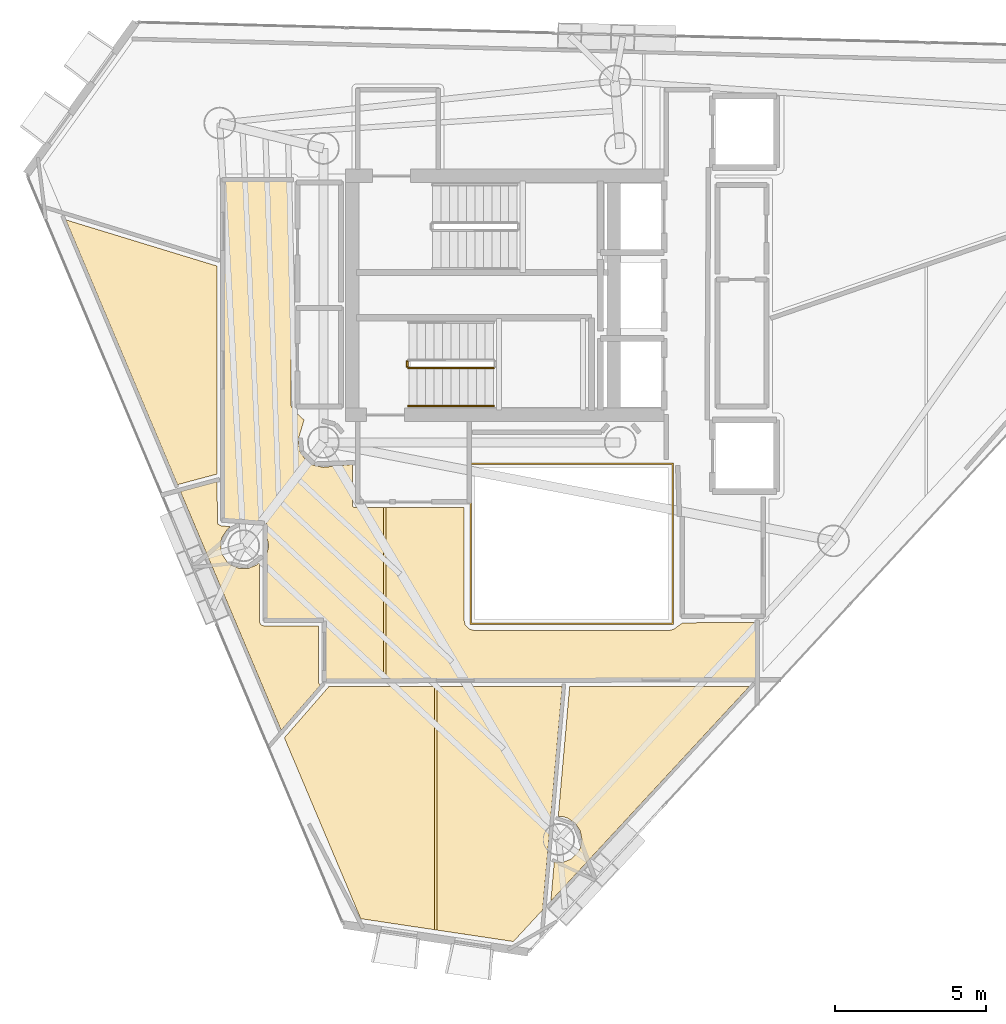
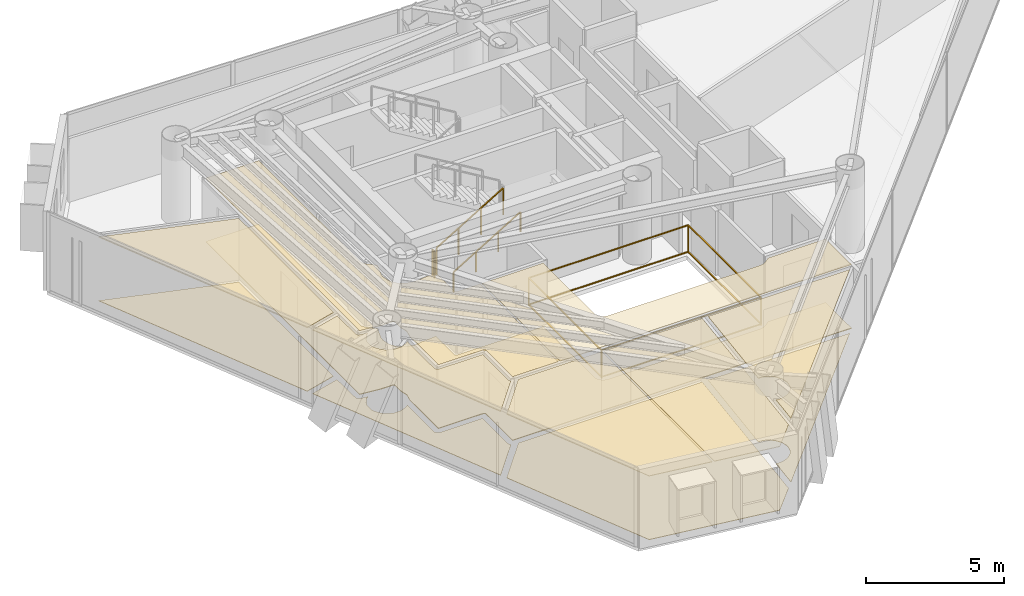
# One storey, part 18 of 21: 12 coverings, 4 railings.
"""IFC4 building model written with IfcOpenShell, lengths in metres."""

from ifc_helpers import new_model, si_unit, direction, frame, origin, origin_2d, place, context, subcontext, project, spatial, polyline, rectangle, outline, extrude, material, layer, layer_set, type_object, element, save


model = new_model("IFC4")

# Units and contexts
model_context = context("Model", 3, precision=1e-05, world=origin(), true_north=direction((0.0, 1.0)))
body_context = subcontext(model_context, "Body", "Model", "MODEL_VIEW")
ifc_project = project(units=[si_unit("LENGTHUNIT", "METRE"), si_unit("AREAUNIT", "SQUARE_METRE"), si_unit("VOLUMEUNIT", "CUBIC_METRE"), si_unit("PLANEANGLEUNIT", "RADIAN"), si_unit("MASSUNIT", "GRAM", prefix="KILO")], contexts=[model_context])

# Site, building, storey
site_placement = place(None, origin())
site = spatial("IfcSite", under=ifc_project, at=site_placement, CompositionType="ELEMENT")
building_placement = place(site_placement, origin())
building = spatial("IfcBuilding", under=site, at=building_placement, Name="Qianvela Tower", CompositionType="ELEMENT")
storey_placement = place(building_placement, frame((0.0, 0.0, 246.39990234375)))
storey = spatial("IfcBuildingStorey", under=building, at=storey_placement, Name="L63", CompositionType="ELEMENT", Elevation=246.39990234375)

# Coverings
ifc_material_1 = material(Name="Perforated Mineral Acoustic Ceiling Tile")
ifc_layer_1 = layer(ifc_material_1, 0.02490234375)
ifc_layer_set_1 = layer_set([ifc_layer_1], Name="Perforated Mineral Acoustic Ceiling Tile")
covering_type_1 = type_object("IfcCoveringType", Name="COV-CEIL-ACOUSTIC-25", PredefinedType="CEILING", material=ifc_layer_set_1)
covering_1_placement = place(storey_placement, frame((0.0, 0.0, 2.815185546875)))
element("IfcCovering", 1, at=covering_1_placement, inside=storey, type_object=covering_type_1, Name="L63 Acoustic Ceiling Bay 1 L63 Floor Corridor", PredefinedType="CEILING", context=body_context, shape_type="SweptSolid", body=[
    extrude(outline(polyline([(27.791015625, 24.010986328125), (27.789794921875, 24.003173828125), (27.775390625, 23.85791015625), (27.77490234375, 23.85009765625), (27.775390625, 23.84228515625), (27.776611328125, 23.83447265625), (27.833251953125, 23.54931640625), (27.835205078125, 23.541748046875), (27.837890625, 23.5341796875), (27.84130859375, 23.527099609375), (27.84521484375, 23.5205078125), (28.006591796875, 23.27880859375), (28.011474609375, 23.2724609375), (28.0166015625, 23.2666015625), (28.0224609375, 23.261474609375), (28.02880859375, 23.256591796875), (28.2705078125, 23.09521484375), (28.277099609375, 23.09130859375), (28.2841796875, 23.087890625), (28.291748046875, 23.085205078125), (28.29931640625, 23.083251953125), (28.58447265625, 23.026611328125), (28.59228515625, 23.025390625), (28.60009765625, 23.02490234375), (28.60791015625, 23.025390625), (29.55810546875, 23.118896484375), (29.55810546875, 21.780029296875), (29.558349609375, 21.772216796875), (29.5595703125, 21.764404296875), (29.561279296875, 21.7568359375), (29.564208984375, 21.74951171875), (29.5673828125, 21.7421875), (29.571533203125, 21.735595703125), (29.576171875, 21.729248046875), (29.581298828125, 21.723388671875), (29.587158203125, 21.71826171875), (29.593505859375, 21.71337890625), (29.600341796875, 21.70947265625), (29.607421875, 21.7060546875), (29.61474609375, 21.703369140625), (29.622314453125, 21.701416015625), (29.630126953125, 21.700439453125), (29.637939453125, 21.699951171875), (30.5888671875, 21.699951171875), (30.5888671875, 16.030029296875), (28.679931640625, 16.030029296875), (28.679931640625, 17.949951171875), (28.6796875, 17.957763671875), (28.678466796875, 17.965576171875), (28.676513671875, 17.97314453125), (28.673828125, 17.980712890625), (28.670654296875, 17.98779296875), (28.66650390625, 17.994384765625), (28.661865234375, 18.000732421875), (28.656494140625, 18.006591796875), (28.65087890625, 18.01171875), (28.644287109375, 18.0166015625), (28.6376953125, 18.0205078125), (28.630615234375, 18.02392578125), (28.623291015625, 18.026611328125), (28.615478515625, 18.028564453125), (28.60791015625, 18.029541015625), (28.60009765625, 18.030029296875), (26.72998046875, 18.030029296875), (26.72998046875, 20.123779296875), (26.795166015625, 20.419921875), (26.79638671875, 20.42822265625), (26.797119140625, 20.43701171875), (26.79638671875, 20.44580078125), (26.795166015625, 20.4541015625), (26.72998046875, 20.75), (26.72998046875, 21.14990234375), (26.7294921875, 21.15771484375), (26.728515625, 21.16552734375), (26.7265625, 21.173095703125), (26.723876953125, 21.1806640625), (26.720703125, 21.187744140625), (26.716552734375, 21.1943359375), (26.7119140625, 21.20068359375), (26.70654296875, 21.20654296875), (26.70068359375, 21.2119140625), (26.6943359375, 21.216552734375), (26.687744140625, 21.220703125), (26.6806640625, 21.223876953125), (26.673095703125, 21.2265625), (26.66552734375, 21.228515625), (26.65771484375, 21.2294921875), (26.64990234375, 21.22998046875), (26.18017578125, 21.22998046875), (25.330078125, 21.32470703125), (25.330078125, 32.469970703125), (27.5400390625, 32.469970703125), (27.5400390625, 25.066650390625), (27.540283203125, 25.05908203125), (27.54150390625, 25.051513671875), (27.543212890625, 25.044189453125), (27.545654296875, 25.037109375), (27.548583984375, 25.0302734375), (27.604736328125, 24.919921875), (27.6083984375, 24.91357421875), (27.612548828125, 24.90771484375), (27.6171875, 24.902099609375), (27.622314453125, 24.89697265625), (27.965087890625, 24.58642578125), (27.792724609375, 24.0185546875), (27.791015625, 24.010986328125)])), origin(), (0.0, 0.0, 1.0), 0.02490234375),
])
covering_2_placement = place(storey_placement, frame((0.0, 0.0, 2.815185546875)))
element("IfcCovering", 2, at=covering_2_placement, inside=storey, type_object=covering_type_1, Name="L63 Acoustic Ceiling Bay 2 L63 Floor Corridor", PredefinedType="CEILING", context=body_context, shape_type="SweptSolid", body=[
    extrude(outline(polyline([(33.239990234375, 21.699951171875), (33.239990234375, 18.0), (33.240478515625, 17.990234375), (33.242431640625, 17.980712890625), (33.275390625, 17.8486328125), (33.277587890625, 17.841796875), (33.2802734375, 17.8349609375), (33.283447265625, 17.82861328125), (33.287353515625, 17.822509765625), (33.29150390625, 17.81689453125), (33.29638671875, 17.811279296875), (33.411376953125, 17.696533203125), (33.41796875, 17.690673828125), (33.4248046875, 17.685791015625), (33.432373046875, 17.681396484375), (33.440185546875, 17.677978515625), (33.448486328125, 17.675537109375), (33.58056640625, 17.642333984375), (33.5869140625, 17.64111328125), (33.593505859375, 17.640380859375), (33.60009765625, 17.639892578125), (40.0, 17.639892578125), (40.006591796875, 17.640380859375), (40.012939453125, 17.64111328125), (40.019287109375, 17.642333984375), (40.1513671875, 17.675537109375), (40.15869140625, 17.677734375), (40.166015625, 17.6806640625), (40.172607421875, 17.68408203125), (40.17919921875, 17.6884765625), (40.459228515625, 17.89306640625), (42.8701171875, 17.89990234375), (42.8701171875, 16.030029296875), (30.6689453125, 16.030029296875), (30.6689453125, 21.699951171875), (33.239990234375, 21.699951171875)])), origin(), (0.0, 0.0, 1.0), 0.02490234375),
])
covering_3_placement = place(storey_placement, frame((0.0, 0.0, 2.815185546875)))
element("IfcCovering", 3, at=covering_3_placement, inside=storey, type_object=covering_type_1, Name="L63 Acoustic Ceiling Student Fitness Gym L63-01", PredefinedType="CEILING", context=body_context, shape_type="SweptSolid", body=[
    extrude(outline(polyline([(25.202880859375, 21.103515625), (25.209716796875, 21.10009765625), (25.217041015625, 21.097412109375), (25.224609375, 21.09521484375), (25.232421875, 21.093994140625), (25.531494140625, 21.060791015625), (25.43701171875, 20.983154296875), (25.43115234375, 20.977783203125), (25.42578125, 20.97216796875), (25.421142578125, 20.9658203125), (25.272705078125, 20.74365234375), (25.2685546875, 20.73681640625), (25.26513671875, 20.729736328125), (25.2626953125, 20.722412109375), (25.2236328125, 20.593994140625), (25.2216796875, 20.586181640625), (25.220458984375, 20.57861328125), (25.22021484375, 20.570556640625), (25.22021484375, 20.303466796875), (25.220458984375, 20.29541015625), (25.2216796875, 20.287841796875), (25.2236328125, 20.280029296875), (25.2626953125, 20.151611328125), (25.26513671875, 20.144287109375), (25.2685546875, 20.13720703125), (25.272705078125, 20.13037109375), (25.421142578125, 19.908203125), (25.42578125, 19.90185546875), (25.43115234375, 19.89599609375), (25.43701171875, 19.890869140625), (25.540771484375, 19.8056640625), (25.547119140625, 19.80078125), (25.5537109375, 19.796875), (25.560791015625, 19.79345703125), (25.8076171875, 19.69140625), (25.815185546875, 19.688720703125), (25.82275390625, 19.686767578125), (25.83056640625, 19.685546875), (25.83837890625, 19.685302734375), (26.105712890625, 19.685302734375), (26.113525390625, 19.685546875), (26.12109375, 19.686767578125), (26.12890625, 19.688720703125), (26.13623046875, 19.69140625), (26.38330078125, 19.79345703125), (26.390380859375, 19.796875), (26.39697265625, 19.80078125), (26.4033203125, 19.8056640625), (26.489990234375, 19.876708984375), (26.489990234375, 17.949951171875), (26.490478515625, 17.942138671875), (26.491455078125, 17.934326171875), (26.493408203125, 17.9267578125), (26.49609375, 17.91943359375), (26.51953125, 17.86279296875), (26.52294921875, 17.855712890625), (26.52685546875, 17.84912109375), (26.531494140625, 17.8427734375), (26.536865234375, 17.8369140625), (26.542724609375, 17.83154296875), (26.549072265625, 17.826904296875), (26.5556640625, 17.822998046875), (26.562744140625, 17.819580078125), (26.619384765625, 17.796142578125), (26.626708984375, 17.79345703125), (26.634521484375, 17.79150390625), (26.64208984375, 17.790283203125), (26.64990234375, 17.7900390625), (28.43994140625, 17.7900390625), (28.4404296875, 15.942138671875), (28.44091796875, 15.93359375), (28.442138671875, 15.925048828125), (28.444580078125, 15.916748046875), (28.44775390625, 15.90869140625), (28.451904296875, 15.90087890625), (28.48681640625, 15.84228515625), (28.4912109375, 15.8359375), (28.49609375, 15.829833984375), (28.496826171875, 15.8291015625), (27.209228515625, 14.347900390625), (23.884765625, 22.2255859375), (25.09130859375, 22.548828125), (25.10791015625, 21.20166015625), (25.1083984375, 21.194091796875), (25.109619140625, 21.1865234375), (25.111572265625, 21.178955078125), (25.114013671875, 21.171875), (25.117431640625, 21.164794921875), (25.121337890625, 21.158203125), (25.1259765625, 21.152099609375), (25.131103515625, 21.146484375), (25.13671875, 21.14111328125), (25.142822265625, 21.136474609375), (25.1494140625, 21.132568359375), (25.202880859375, 21.103515625)])), origin(), (0.0, 0.0, 1.0), 0.02490234375),
])
covering_4_placement = place(storey_placement, frame((0.0, 0.0, 2.815185546875)))
element("IfcCovering", 4, at=covering_4_placement, inside=storey, type_object=covering_type_1, Name="L63 Acoustic Ceiling Bay 1 Maker Craft Workshop L63-02", PredefinedType="CEILING", context=body_context, shape_type="SweptSolid", body=[
    extrude(outline(polyline([(29.83447265625, 8.126953125), (27.31494140625, 14.097412109375), (28.7861328125, 15.7900390625), (32.272705078125, 15.7900390625), (32.272705078125, 7.76220703125), (29.83447265625, 8.126953125)])), origin(), (0.0, 0.0, 1.0), 0.02490234375),
])
covering_5_placement = place(storey_placement, frame((0.0, 0.0, 2.815185546875)))
element("IfcCovering", 5, at=covering_5_placement, inside=storey, type_object=covering_type_1, Name="L63 Acoustic Ceiling Bay 2 Maker Craft Workshop L63-02", PredefinedType="CEILING", context=body_context, shape_type="SweptSolid", body=[
    extrude(outline(polyline([(34.873779296875, 7.373291015625), (32.352783203125, 7.75048828125), (32.352783203125, 15.7900390625), (36.484375, 15.7900390625), (35.839111328125, 8.4169921875), (34.873779296875, 7.373291015625)])), origin(), (0.0, 0.0, 1.0), 0.02490234375),
])
covering_6_placement = place(storey_placement, frame((0.0, 0.0, 2.815185546875)))
element("IfcCovering", 6, at=covering_6_placement, inside=storey, type_object=covering_type_1, Name="L63 Acoustic Ceiling Student Reading Library L63-03", PredefinedType="CEILING", context=body_context, shape_type="SweptSolid", body=[
    extrude(outline(polyline([(36.222900390625, 10.001708984375), (36.35498046875, 9.978271484375), (36.3623046875, 9.977294921875), (36.369384765625, 9.97705078125), (36.376708984375, 9.977294921875), (36.510498046875, 9.990478515625), (36.518310546875, 9.99169921875), (36.52587890625, 9.99365234375), (36.533203125, 9.996337890625), (36.7802734375, 10.098388671875), (36.787353515625, 10.101806640625), (36.7939453125, 10.10595703125), (36.80029296875, 10.110595703125), (36.80615234375, 10.115966796875), (36.9951171875, 10.304931640625), (37.00048828125, 10.310791015625), (37.005126953125, 10.31689453125), (37.009033203125, 10.32373046875), (37.072509765625, 10.442138671875), (37.07568359375, 10.44921875), (37.078369140625, 10.45654296875), (37.080322265625, 10.46435546875), (37.132568359375, 10.726318359375), (37.133544921875, 10.734130859375), (37.134033203125, 10.741943359375), (37.133544921875, 10.749755859375), (37.132568359375, 10.757568359375), (37.080322265625, 11.019775390625), (37.078369140625, 11.02734375), (37.07568359375, 11.034912109375), (37.072509765625, 11.041748046875), (37.068359375, 11.048583984375), (36.919921875, 11.270751953125), (36.915283203125, 11.277099609375), (36.909912109375, 11.282958984375), (36.904052734375, 11.2880859375), (36.897705078125, 11.29296875), (36.675537109375, 11.44140625), (36.668701171875, 11.4453125), (36.661865234375, 11.44873046875), (36.654296875, 11.451416015625), (36.52587890625, 11.490478515625), (36.5185546875, 11.4921875), (36.51123046875, 11.493408203125), (36.503662109375, 11.493896484375), (36.353515625, 11.495849609375), (36.729248046875, 15.7900390625), (42.65869140625, 15.7900390625), (36.109619140625, 8.70947265625), (36.222900390625, 10.001708984375)])), origin(), (0.0, 0.0, 1.0), 0.02490234375),
])
covering_7_placement = place(storey_placement, frame((0.0, 0.0, 2.815185546875)))
element("IfcCovering", 7, at=covering_7_placement, inside=storey, type_object=covering_type_1, Name="L63 Acoustic Ceiling Student Wellness Lounge L63-06", PredefinedType="CEILING", context=body_context, shape_type="SweptSolid", body=[
    extrude(outline(polyline([(23.7890625, 22.452392578125), (20.10107421875, 31.19189453125), (25.090087890625, 29.66650390625), (25.090087890625, 22.801025390625), (23.7890625, 22.452392578125)])), origin(), (0.0, 0.0, 1.0), 0.02490234375),
])
ifc_material_2 = material(Name="Engineered Acoustic Oak Timber Flooring", Category="wood")
ifc_layer_2 = layer(ifc_material_2, 0.02001953125)
ifc_layer_set_2 = layer_set([ifc_layer_2], Name="Engineered Acoustic Oak Timber Flooring")
covering_type_2 = type_object("IfcCoveringType", Name="COV-FLOOR-OAK-20", PredefinedType="FLOORING", material=ifc_layer_set_2)
covering_8_placement = place(storey_placement, origin())
element("IfcCovering", 8, at=covering_8_placement, inside=storey, type_object=covering_type_2, Name="L63 Finish Flooring Student Fitness Gym L63-01", PredefinedType="FLOORING", context=body_context, shape_type="SweptSolid", body=[
    extrude(outline(polyline([(25.202880859375, 21.103515625), (25.209716796875, 21.10009765625), (25.217041015625, 21.097412109375), (25.224609375, 21.09521484375), (25.232421875, 21.093994140625), (25.531494140625, 21.060791015625), (25.43701171875, 20.983154296875), (25.43115234375, 20.977783203125), (25.42578125, 20.97216796875), (25.421142578125, 20.9658203125), (25.272705078125, 20.74365234375), (25.2685546875, 20.73681640625), (25.26513671875, 20.729736328125), (25.2626953125, 20.722412109375), (25.2236328125, 20.593994140625), (25.2216796875, 20.586181640625), (25.220458984375, 20.57861328125), (25.22021484375, 20.570556640625), (25.22021484375, 20.303466796875), (25.220458984375, 20.29541015625), (25.2216796875, 20.287841796875), (25.2236328125, 20.280029296875), (25.2626953125, 20.151611328125), (25.26513671875, 20.144287109375), (25.2685546875, 20.13720703125), (25.272705078125, 20.13037109375), (25.421142578125, 19.908203125), (25.42578125, 19.90185546875), (25.43115234375, 19.89599609375), (25.43701171875, 19.890869140625), (25.540771484375, 19.8056640625), (25.547119140625, 19.80078125), (25.5537109375, 19.796875), (25.560791015625, 19.79345703125), (25.8076171875, 19.69140625), (25.815185546875, 19.688720703125), (25.82275390625, 19.686767578125), (25.83056640625, 19.685546875), (25.83837890625, 19.685302734375), (26.105712890625, 19.685302734375), (26.113525390625, 19.685546875), (26.12109375, 19.686767578125), (26.12890625, 19.688720703125), (26.13623046875, 19.69140625), (26.38330078125, 19.79345703125), (26.390380859375, 19.796875), (26.39697265625, 19.80078125), (26.4033203125, 19.8056640625), (26.489990234375, 19.876708984375), (26.489990234375, 17.949951171875), (26.490478515625, 17.942138671875), (26.491455078125, 17.934326171875), (26.493408203125, 17.9267578125), (26.49609375, 17.91943359375), (26.51953125, 17.86279296875), (26.52294921875, 17.855712890625), (26.52685546875, 17.84912109375), (26.531494140625, 17.8427734375), (26.536865234375, 17.8369140625), (26.542724609375, 17.83154296875), (26.549072265625, 17.826904296875), (26.5556640625, 17.822998046875), (26.562744140625, 17.819580078125), (26.619384765625, 17.796142578125), (26.626708984375, 17.79345703125), (26.634521484375, 17.79150390625), (26.64208984375, 17.790283203125), (26.64990234375, 17.7900390625), (28.43994140625, 17.7900390625), (28.4404296875, 15.942138671875), (28.44091796875, 15.93359375), (28.442138671875, 15.925048828125), (28.444580078125, 15.916748046875), (28.44775390625, 15.90869140625), (28.451904296875, 15.90087890625), (28.48681640625, 15.84228515625), (28.4912109375, 15.8359375), (28.49609375, 15.829833984375), (28.496826171875, 15.8291015625), (27.209228515625, 14.347900390625), (23.884765625, 22.2255859375), (25.09130859375, 22.548828125), (25.10791015625, 21.20166015625), (25.1083984375, 21.194091796875), (25.109619140625, 21.1865234375), (25.111572265625, 21.178955078125), (25.114013671875, 21.171875), (25.117431640625, 21.164794921875), (25.121337890625, 21.158203125), (25.1259765625, 21.152099609375), (25.131103515625, 21.146484375), (25.13671875, 21.14111328125), (25.142822265625, 21.136474609375), (25.1494140625, 21.132568359375), (25.202880859375, 21.103515625)])), origin(), (0.0, 0.0, 1.0), 0.02001953125),
])
covering_9_placement = place(storey_placement, origin())
element("IfcCovering", 9, at=covering_9_placement, inside=storey, type_object=covering_type_2, Name="L63 Finish Flooring Maker Craft Workshop L63-02", PredefinedType="FLOORING", context=body_context, shape_type="SweptSolid", body=[
    extrude(outline(polyline([(35.839111328125, 8.4169921875), (34.873779296875, 7.373291015625), (29.83447265625, 8.126953125), (27.31494140625, 14.097412109375), (28.7861328125, 15.7900390625), (36.484375, 15.7900390625), (35.839111328125, 8.4169921875)])), origin(), (0.0, 0.0, 1.0), 0.02001953125),
])
covering_10_placement = place(storey_placement, origin())
element("IfcCovering", 10, at=covering_10_placement, inside=storey, type_object=covering_type_2, Name="L63 Finish Flooring Student Reading Library L63-03", PredefinedType="FLOORING", context=body_context, shape_type="SweptSolid", body=[
    extrude(outline(polyline([(36.222900390625, 10.001708984375), (36.35498046875, 9.978271484375), (36.3623046875, 9.977294921875), (36.369384765625, 9.97705078125), (36.376708984375, 9.977294921875), (36.510498046875, 9.990478515625), (36.518310546875, 9.99169921875), (36.52587890625, 9.99365234375), (36.533203125, 9.996337890625), (36.7802734375, 10.098388671875), (36.787353515625, 10.101806640625), (36.7939453125, 10.10595703125), (36.80029296875, 10.110595703125), (36.80615234375, 10.115966796875), (36.9951171875, 10.304931640625), (37.00048828125, 10.310791015625), (37.005126953125, 10.31689453125), (37.009033203125, 10.32373046875), (37.072509765625, 10.442138671875), (37.07568359375, 10.44921875), (37.078369140625, 10.45654296875), (37.080322265625, 10.46435546875), (37.132568359375, 10.726318359375), (37.133544921875, 10.734130859375), (37.134033203125, 10.741943359375), (37.133544921875, 10.749755859375), (37.132568359375, 10.757568359375), (37.080322265625, 11.019775390625), (37.078369140625, 11.02734375), (37.07568359375, 11.034912109375), (37.072509765625, 11.041748046875), (37.068359375, 11.048583984375), (36.919921875, 11.270751953125), (36.915283203125, 11.277099609375), (36.909912109375, 11.282958984375), (36.904052734375, 11.2880859375), (36.897705078125, 11.29296875), (36.675537109375, 11.44140625), (36.668701171875, 11.4453125), (36.661865234375, 11.44873046875), (36.654296875, 11.451416015625), (36.52587890625, 11.490478515625), (36.5185546875, 11.4921875), (36.51123046875, 11.493408203125), (36.503662109375, 11.493896484375), (36.353515625, 11.495849609375), (36.729248046875, 15.7900390625), (42.65869140625, 15.7900390625), (36.109619140625, 8.70947265625), (36.222900390625, 10.001708984375)])), origin(), (0.0, 0.0, 1.0), 0.02001953125),
])
covering_11_placement = place(storey_placement, origin())
element("IfcCovering", 11, at=covering_11_placement, inside=storey, type_object=covering_type_2, Name="L63 Finish Flooring Student Wellness Lounge L63-06", PredefinedType="FLOORING", context=body_context, shape_type="SweptSolid", body=[
    extrude(outline(polyline([(23.7890625, 22.452392578125), (20.10107421875, 31.19189453125), (25.090087890625, 29.66650390625), (25.090087890625, 22.801025390625), (23.7890625, 22.452392578125)])), origin(), (0.0, 0.0, 1.0), 0.02001953125),
])
ifc_material_3 = material(Name="Honed Stone Terrazzo Flooring", Category="masonry")
ifc_layer_3 = layer(ifc_material_3, 0.030029296875)
ifc_layer_set_3 = layer_set([ifc_layer_3], Name="Honed Stone Terrazzo Flooring")
covering_type_3 = type_object("IfcCoveringType", Name="COV-FLOOR-TERRAZZO-30", PredefinedType="FLOORING", material=ifc_layer_set_3)
covering_12_placement = place(storey_placement, origin())
element("IfcCovering", 12, at=covering_12_placement, inside=storey, type_object=covering_type_3, Name="L63 Finish Flooring L63 Floor Corridor", PredefinedType="FLOORING", context=body_context, shape_type="SweptSolid", body=[
    extrude(outline(polyline([(27.792724609375, 24.0185546875), (27.791015625, 24.010986328125), (27.789794921875, 24.003173828125), (27.775390625, 23.85791015625), (27.77490234375, 23.85009765625), (27.775390625, 23.84228515625), (27.776611328125, 23.83447265625), (27.833251953125, 23.54931640625), (27.835205078125, 23.541748046875), (27.837890625, 23.5341796875), (27.84130859375, 23.527099609375), (27.84521484375, 23.5205078125), (28.006591796875, 23.27880859375), (28.011474609375, 23.2724609375), (28.0166015625, 23.2666015625), (28.0224609375, 23.261474609375), (28.02880859375, 23.256591796875), (28.2705078125, 23.09521484375), (28.277099609375, 23.09130859375), (28.2841796875, 23.087890625), (28.291748046875, 23.085205078125), (28.29931640625, 23.083251953125), (28.58447265625, 23.026611328125), (28.59228515625, 23.025390625), (28.60009765625, 23.02490234375), (28.60791015625, 23.025390625), (29.55810546875, 23.118896484375), (29.55810546875, 21.780029296875), (29.558349609375, 21.772216796875), (29.5595703125, 21.764404296875), (29.561279296875, 21.7568359375), (29.564208984375, 21.74951171875), (29.5673828125, 21.7421875), (29.571533203125, 21.735595703125), (29.576171875, 21.729248046875), (29.581298828125, 21.723388671875), (29.587158203125, 21.71826171875), (29.593505859375, 21.71337890625), (29.600341796875, 21.70947265625), (29.607421875, 21.7060546875), (29.61474609375, 21.703369140625), (29.622314453125, 21.701416015625), (29.630126953125, 21.700439453125), (29.637939453125, 21.699951171875), (33.239990234375, 21.699951171875), (33.239990234375, 18.0), (33.240478515625, 17.990234375), (33.242431640625, 17.980712890625), (33.275390625, 17.8486328125), (33.277587890625, 17.841796875), (33.2802734375, 17.8349609375), (33.283447265625, 17.82861328125), (33.287353515625, 17.822509765625), (33.29150390625, 17.81689453125), (33.29638671875, 17.811279296875), (33.411376953125, 17.696533203125), (33.41796875, 17.690673828125), (33.4248046875, 17.685791015625), (33.432373046875, 17.681396484375), (33.440185546875, 17.677978515625), (33.448486328125, 17.675537109375), (33.58056640625, 17.642333984375), (33.5869140625, 17.64111328125), (33.593505859375, 17.640380859375), (33.60009765625, 17.639892578125), (40.0, 17.639892578125), (40.006591796875, 17.640380859375), (40.012939453125, 17.64111328125), (40.019287109375, 17.642333984375), (40.1513671875, 17.675537109375), (40.15869140625, 17.677734375), (40.166015625, 17.6806640625), (40.172607421875, 17.68408203125), (40.17919921875, 17.6884765625), (40.459228515625, 17.89306640625), (42.8701171875, 17.89990234375), (42.8701171875, 16.030029296875), (28.679931640625, 16.030029296875), (28.679931640625, 17.949951171875), (28.6796875, 17.957763671875), (28.678466796875, 17.965576171875), (28.676513671875, 17.97314453125), (28.673828125, 17.980712890625), (28.670654296875, 17.98779296875), (28.66650390625, 17.994384765625), (28.661865234375, 18.000732421875), (28.656494140625, 18.006591796875), (28.65087890625, 18.01171875), (28.644287109375, 18.0166015625), (28.6376953125, 18.0205078125), (28.630615234375, 18.02392578125), (28.623291015625, 18.026611328125), (28.615478515625, 18.028564453125), (28.60791015625, 18.029541015625), (28.60009765625, 18.030029296875), (26.72998046875, 18.030029296875), (26.72998046875, 20.123779296875), (26.795166015625, 20.419921875), (26.79638671875, 20.42822265625), (26.797119140625, 20.43701171875), (26.79638671875, 20.44580078125), (26.795166015625, 20.4541015625), (26.72998046875, 20.75), (26.72998046875, 21.14990234375), (26.7294921875, 21.15771484375), (26.728515625, 21.16552734375), (26.7265625, 21.173095703125), (26.723876953125, 21.1806640625), (26.720703125, 21.187744140625), (26.716552734375, 21.1943359375), (26.7119140625, 21.20068359375), (26.70654296875, 21.20654296875), (26.70068359375, 21.2119140625), (26.6943359375, 21.216552734375), (26.687744140625, 21.220703125), (26.6806640625, 21.223876953125), (26.673095703125, 21.2265625), (26.66552734375, 21.228515625), (26.65771484375, 21.2294921875), (26.64990234375, 21.22998046875), (26.18017578125, 21.22998046875), (25.330078125, 21.32470703125), (25.330078125, 32.469970703125), (27.5400390625, 32.469970703125), (27.5400390625, 25.066650390625), (27.540283203125, 25.05908203125), (27.54150390625, 25.051513671875), (27.543212890625, 25.044189453125), (27.545654296875, 25.037109375), (27.548583984375, 25.0302734375), (27.604736328125, 24.919921875), (27.6083984375, 24.91357421875), (27.612548828125, 24.90771484375), (27.6171875, 24.902099609375), (27.622314453125, 24.89697265625), (27.965087890625, 24.58642578125), (27.792724609375, 24.0185546875)])), origin(), (0.0, 0.0, 1.0), 0.030029296875),
])

# Railings
ifc_material_4 = material(Name="Laminated Safety Glass and Stainless Steel 316", Category="steel")
railing_type_1 = type_object("IfcRailingType", Name="RL-ATRIUM-GUARD-1250", PredefinedType="GUARDRAIL", material=ifc_material_4)
railing_1_placement = place(storey_placement, frame((33.4599609375, 17.860107421875, 0.0)))
element("IfcRailing", 13, at=railing_1_placement, inside=storey, type_object=railing_type_1, Name="L63 Atrium Edge Guardrail 1", PredefinedType="GUARDRAIL", context=body_context, shape_type="SweptSolid", body=[
    extrude(rectangle(XDim=0.050048828125, YDim=0.0400390625, at=origin_2d()), frame((0.0, 0.0, 1.22998046875), z_axis=(0.0, 1.0, 0.0), x_axis=(-1.0, 0.0, 0.0)), (0.0, 0.0, 1.0), 5.27978515625),
    extrude(rectangle(XDim=0.050048828125, YDim=0.0400390625, at=origin_2d()), frame((0.0, 0.0, 0.050048828125), z_axis=(0.0, 1.0, 0.0), x_axis=(-1.0, 0.0, 0.0)), (0.0, 0.0, 1.0), 5.27978515625),
    extrude(rectangle(XDim=0.050048828125, YDim=0.0400390625, at=origin_2d()), frame((0.0, 5.27978515625, 1.22998046875), z_axis=(1.0, 0.0, 0.0), x_axis=(0.0, 1.0, 0.0)), (0.0, 0.0, 1.0), 6.679931640625),
    extrude(rectangle(XDim=0.050048828125, YDim=0.0400390625, at=origin_2d()), frame((0.0, 5.27978515625, 0.050048828125), z_axis=(1.0, 0.0, 0.0), x_axis=(0.0, 1.0, 0.0)), (0.0, 0.0, 1.0), 6.679931640625),
    extrude(rectangle(XDim=0.050048828125, YDim=0.0400390625, at=origin_2d()), frame((6.679931640625, 5.27978515625, 1.22998046875), z_axis=(0.0, -1.0, 0.0), x_axis=(1.0, 0.0, 0.0)), (0.0, 0.0, 1.0), 5.27978515625),
    extrude(rectangle(XDim=0.050048828125, YDim=0.0400390625, at=origin_2d()), frame((6.679931640625, 5.27978515625, 0.050048828125), z_axis=(0.0, -1.0, 0.0), x_axis=(1.0, 0.0, 0.0)), (0.0, 0.0, 1.0), 5.27978515625),
    extrude(rectangle(XDim=0.050048828125, YDim=0.0400390625, at=origin_2d()), frame((6.679931640625, 0.0, 1.22998046875), z_axis=(-1.0, 0.0, 0.0), x_axis=(0.0, -1.0, 0.0)), (0.0, 0.0, 1.0), 6.679931640625),
    extrude(rectangle(XDim=0.050048828125, YDim=0.0400390625, at=origin_2d()), frame((6.679931640625, 0.0, 0.050048828125), z_axis=(-1.0, 0.0, 0.0), x_axis=(0.0, -1.0, 0.0)), (0.0, 0.0, 1.0), 6.679931640625),
    extrude(rectangle(XDim=0.050048828125, YDim=0.050048828125, at=origin_2d()), origin(), (0.0, 0.0, 1.0), 1.2099609375),
    extrude(rectangle(XDim=0.050048828125, YDim=0.050048828125, at=origin_2d()), frame((0.0, 5.27978515625, 0.0)), (0.0, 0.0, 1.0), 1.2099609375),
    extrude(rectangle(XDim=0.050048828125, YDim=0.050048828125, at=origin_2d()), frame((6.679931640625, 5.27978515625, 0.0)), (0.0, 0.0, 1.0), 1.2099609375),
    extrude(rectangle(XDim=0.050048828125, YDim=0.050048828125, at=origin_2d()), frame((6.679931640625, 0.0, 0.0)), (0.0, 0.0, 1.0), 1.2099609375),
])
ifc_material_5 = material(Name="Painted Tubular Steel Q355B", Category="steel")
railing_type_2 = type_object("IfcRailingType", Name="RL-STAIR-GUARD-1200", PredefinedType="GUARDRAIL", material=ifc_material_5)
railing_2_placement = place(storey_placement, frame((31.419921875, 26.300048828125, 0.168212890625)))
element("IfcRailing", 14, at=railing_2_placement, inside=storey, type_object=railing_type_2, Name="L63 ST-2 stair guard 1", PredefinedType="GUARDRAIL", context=body_context, shape_type="SweptSolid", body=[
    extrude(rectangle(XDim=0.050048828125, YDim=0.0400390625, at=origin_2d()), frame((0.0, 0.0, 1.179931640625), z_axis=(0.857242210791, 0.0, 0.514913383045), x_axis=(0.0, 1.0, 0.0)), (0.0, 0.0, 1.0), 3.266357421875),
    extrude(rectangle(XDim=0.050048828125, YDim=0.050048828125, at=origin_2d()), origin(), (0.0, 0.0, 1.0), 1.159912109375),
    extrude(rectangle(XDim=0.050048828125, YDim=0.050048828125, at=origin_2d()), frame((0.933349609375, 0.0, 0.560546875)), (0.0, 0.0, 1.0), 1.159912109375),
    extrude(rectangle(XDim=0.050048828125, YDim=0.050048828125, at=origin_2d()), frame((1.86669921875, 0.0, 1.121337890625)), (0.0, 0.0, 1.0), 1.159912109375),
    extrude(rectangle(XDim=0.050048828125, YDim=0.050048828125, at=origin_2d()), frame((2.800048828125, 0.0, 1.681884765625)), (0.0, 0.0, 1.0), 1.159912109375),
])
railing_3_placement = place(storey_placement, frame((31.3701171875, 26.35009765625, 0.0)))
element("IfcRailing", 15, at=railing_3_placement, inside=storey, type_object=railing_type_2, Name="L63 ST-2 stair guard 4", PredefinedType="GUARDRAIL", context=body_context, shape_type="SweptSolid", body=[
    extrude(rectangle(XDim=0.050048828125, YDim=0.0400390625, at=origin_2d()), frame((0.0, 0.0, 1.179931640625), z_axis=(0.0, 1.0, 0.0), x_axis=(-1.0, 0.0, 0.0)), (0.0, 0.0, 1.0), 0.159912109375),
    extrude(rectangle(XDim=0.050048828125, YDim=0.050048828125, at=origin_2d()), origin(), (0.0, 0.0, 1.0), 1.159912109375),
    extrude(rectangle(XDim=0.050048828125, YDim=0.050048828125, at=origin_2d()), frame((0.0, 0.159912109375, 0.0)), (0.0, 0.0, 1.0), 1.159912109375),
])
ifc_material_6 = material(Name="Brushed Stainless Steel 304", Category="steel")
railing_type_3 = type_object("IfcRailingType", Name="RL-STAIR-HANDRAIL-900", PredefinedType="HANDRAIL", material=ifc_material_6)
railing_4_placement = place(storey_placement, frame((31.419921875, 25.050048828125, 0.168212890625)))
element("IfcRailing", 16, at=railing_4_placement, inside=storey, type_object=railing_type_3, Name="L63 ST-2 stair handrail 1", PredefinedType="HANDRAIL", context=body_context, shape_type="SweptSolid", body=[
    extrude(rectangle(XDim=0.050048828125, YDim=0.0400390625, at=origin_2d()), frame((0.0, 0.0, 0.8798828125), z_axis=(0.857242210791, 0.0, 0.514913383045), x_axis=(0.0, 1.0, 0.0)), (0.0, 0.0, 1.0), 3.266357421875),
    extrude(rectangle(XDim=0.050048828125, YDim=0.050048828125, at=origin_2d()), origin(), (0.0, 0.0, 1.0), 0.85986328125),
    extrude(rectangle(XDim=0.050048828125, YDim=0.050048828125, at=origin_2d()), frame((0.933349609375, 0.0, 0.560546875)), (0.0, 0.0, 1.0), 0.85986328125),
    extrude(rectangle(XDim=0.050048828125, YDim=0.050048828125, at=origin_2d()), frame((1.86669921875, 0.0, 1.121337890625)), (0.0, 0.0, 1.0), 0.85986328125),
    extrude(rectangle(XDim=0.050048828125, YDim=0.050048828125, at=origin_2d()), frame((2.800048828125, 0.0, 1.681884765625)), (0.0, 0.0, 1.0), 0.85986328125),
])

save(model, "model.ifc")
